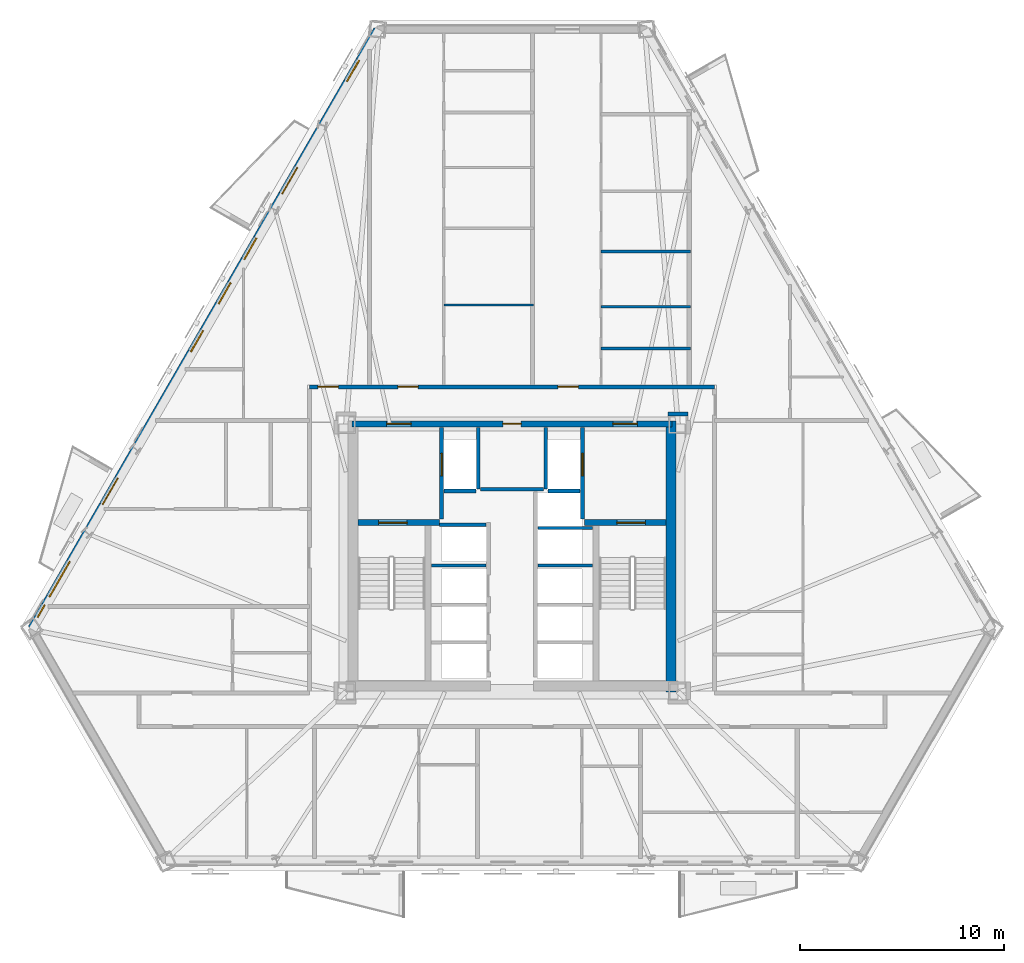
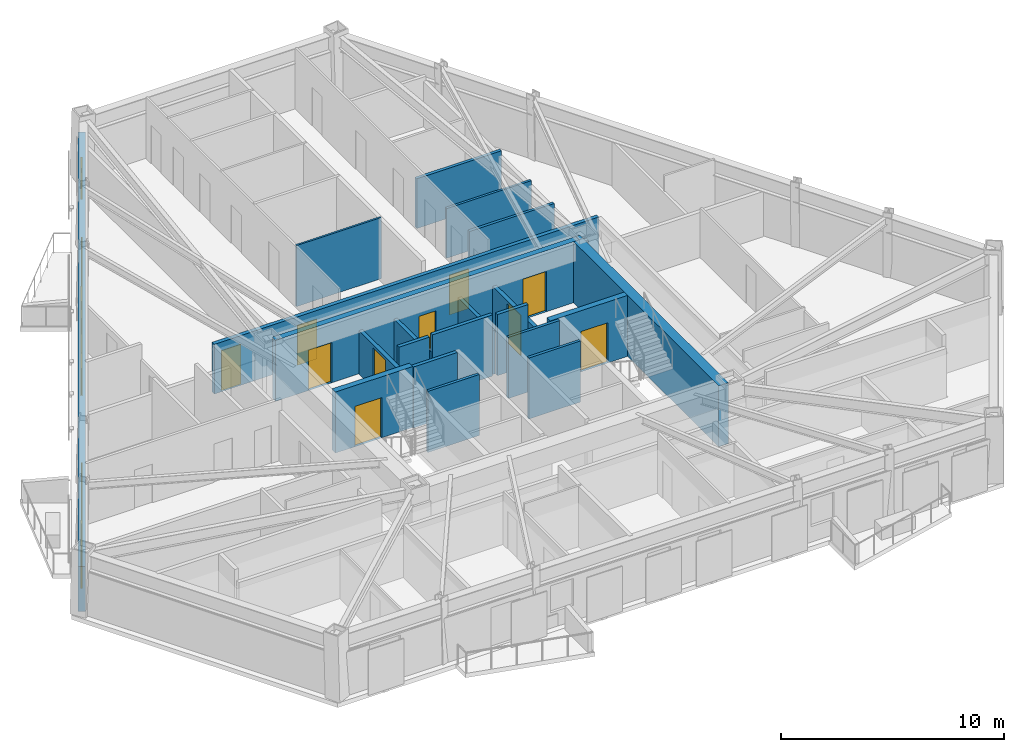
# One storey, part 4 of 10: 22 walls, 12 doors, 6 windows, 18 openings.
"""IFC4 building model written with IfcOpenShell, lengths in metres."""

from ifc_helpers import new_model, si_unit, direction, frame, frame_2d, origin, place, context, subcontext, project, spatial, rectangle, extrude, material, layer, layer_set, type_object, element, fill, save


model = new_model("IFC4")

# Units and contexts
model_context = context("Model", 3, precision=1e-05, world=origin(), true_north=direction((0.0, 1.0)))
body_context = subcontext(model_context, "Body", "Model", "MODEL_VIEW")
ifc_project = project(units=[si_unit("LENGTHUNIT", "METRE"), si_unit("AREAUNIT", "SQUARE_METRE"), si_unit("VOLUMEUNIT", "CUBIC_METRE"), si_unit("PLANEANGLEUNIT", "RADIAN"), si_unit("MASSUNIT", "GRAM", prefix="KILO")], contexts=[model_context])

# Site, building, storey
site_placement = place(None, origin())
site = spatial("IfcSite", under=ifc_project, at=site_placement, CompositionType="ELEMENT")
building_placement = place(site_placement, origin())
building = spatial("IfcBuilding", under=site, at=building_placement, Name="Oramaril Tower", CompositionType="ELEMENT")
storey_placement = place(building_placement, frame((0.0, 0.0, 74.10009765625)))
storey = spatial("IfcBuildingStorey", under=building, at=storey_placement, Name="L19", CompositionType="ELEMENT", Elevation=74.10009765625)

# Wall, openings, doors, windows
ifc_material_1 = material(Name="Warm Cream Limestone", Category="masonry")
ifc_layer_1 = layer(ifc_material_1, 0.340087890625)
ifc_layer_set_1 = layer_set([ifc_layer_1], Name="WT-EXT34")
wall_type_1 = type_object("IfcWallType", Name="WT-EXT34", PredefinedType="SOLIDWALL", material=ifc_layer_set_1)
wall_1_placement = place(storey_placement, frame((30.876220703125, 43.518310546875, 0.0), z_axis=(0.0, 0.0, 1.0), x_axis=(-0.500000596145, -0.8660250596, 0.0)))
wall_1 = element("IfcWall", 1, at=wall_1_placement, inside=storey, type_object=wall_type_1, Name="L19 Tower Limestone Facade Wall 6M", PredefinedType="SOLIDWALL", context=body_context, shape_type="SweptSolid", body=[
    extrude(rectangle(XDim=33.93798828125, YDim=0.340087890625, at=frame_2d((16.968994140625, 0.0))), origin(), (0.0, 0.0, 1.0), 2.473876953125),
])
opening_1_placement = place(wall_1_placement, frame((7.824462890625, 0.0, 0.0)))
opening_1 = element("IfcOpeningElement", 2, at=opening_1_placement, cuts=wall_1, Name="Opening D-L19-BAL-NW1", PredefinedType="OPENING", context=body_context, shape_type="SweptSolid", body=[
    extrude(rectangle(XDim=1.5, YDim=2.199951171875, at=frame_2d((0.75, 1.10009765625))), frame((0.0, 0.169921875, 0.0), z_axis=(0.0, -1.0, 0.0), x_axis=(1.0, 0.0, 0.0)), (0.0, 0.0, 1.0), 0.340087890625),
])
opening_2_placement = place(wall_1_placement, frame((25.438720703125, 0.0, 0.0)))
opening_2 = element("IfcOpeningElement", 3, at=opening_2_placement, cuts=wall_1, Name="Opening D-L19-BAL-NW2", PredefinedType="OPENING", context=body_context, shape_type="SweptSolid", body=[
    extrude(rectangle(XDim=1.5, YDim=2.199951171875, at=frame_2d((0.75, 1.10009765625))), frame((0.0, 0.169921875, 0.0), z_axis=(0.0, -1.0, 0.0), x_axis=(1.0, 0.0, 0.0)), (0.0, 0.0, 1.0), 0.340087890625),
])
opening_3_placement = place(wall_1_placement, frame((30.160888671875, 0.0, 0.85009765625)))
opening_3 = element("IfcOpeningElement", 4, at=opening_3_placement, cuts=wall_1, Name="Opening WN-05", PredefinedType="OPENING", context=body_context, shape_type="SweptSolid", body=[
    extrude(rectangle(XDim=2.0, YDim=1.513916015625, at=frame_2d((1.0, 0.7568359375))), frame((0.0, 0.169921875, 0.0), z_axis=(0.0, -1.0, 0.0), x_axis=(1.0, 0.0, 0.0)), (0.0, 0.0, 1.0), 0.340087890625),
])
opening_4_placement = place(wall_1_placement, frame((1.754638671875, 0.0, 0.85009765625)))
opening_4 = element("IfcOpeningElement", 5, at=opening_4_placement, cuts=wall_1, Name="Opening WN-09", PredefinedType="OPENING", context=body_context, shape_type="SweptSolid", body=[
    extrude(rectangle(XDim=1.199951171875, YDim=1.47412109375, at=frame_2d((0.60009765625, 0.737060546875))), frame((0.0, 0.169921875, 0.0), z_axis=(0.0, -1.0, 0.0), x_axis=(1.0, 0.0, 0.0)), (0.0, 0.0, 1.0), 0.340087890625),
])
opening_5_placement = place(wall_1_placement, frame((11.83447265625, 0.0, 0.85009765625)))
opening_5 = element("IfcOpeningElement", 6, at=opening_5_placement, cuts=wall_1, Name="Opening WN-09", PredefinedType="OPENING", context=body_context, shape_type="SweptSolid", body=[
    extrude(rectangle(XDim=1.199951171875, YDim=1.47412109375, at=frame_2d((0.60009765625, 0.737060546875))), frame((0.0, 0.169921875, 0.0), z_axis=(0.0, -1.0, 0.0), x_axis=(1.0, 0.0, 0.0)), (0.0, 0.0, 1.0), 0.340087890625),
])
opening_6_placement = place(wall_1_placement, frame((14.3583984375, 0.0, 0.85009765625)))
opening_6 = element("IfcOpeningElement", 7, at=opening_6_placement, cuts=wall_1, Name="Opening WN-09", PredefinedType="OPENING", context=body_context, shape_type="SweptSolid", body=[
    extrude(rectangle(XDim=1.199951171875, YDim=1.47412109375, at=frame_2d((0.60009765625, 0.737060546875))), frame((0.0, 0.169921875, 0.0), z_axis=(0.0, -1.0, 0.0), x_axis=(1.0, 0.0, 0.0)), (0.0, 0.0, 1.0), 0.340087890625),
])
opening_7_placement = place(wall_1_placement, frame((17.070556640625, 0.0, 0.85009765625)))
opening_7 = element("IfcOpeningElement", 8, at=opening_7_placement, cuts=wall_1, Name="Opening WN-09", PredefinedType="OPENING", context=body_context, shape_type="SweptSolid", body=[
    extrude(rectangle(XDim=1.199951171875, YDim=1.47412109375, at=frame_2d((0.60009765625, 0.737060546875))), frame((0.0, 0.169921875, 0.0), z_axis=(0.0, -1.0, 0.0), x_axis=(1.0, 0.0, 0.0)), (0.0, 0.0, 1.0), 0.340087890625),
])
opening_8_placement = place(wall_1_placement, frame((32.6279296875, 0.0, 0.85009765625)))
opening_8 = element("IfcOpeningElement", 9, at=opening_8_placement, cuts=wall_1, Name="Opening WN-14", PredefinedType="OPENING", context=body_context, shape_type="SweptSolid", body=[
    extrude(rectangle(XDim=0.699951171875, YDim=1.199951171875, at=frame_2d((0.35009765625, 0.60009765625))), frame((0.0, 0.169921875, 0.0), z_axis=(0.0, -1.0, 0.0), x_axis=(1.0, 0.0, 0.0)), (0.0, 0.0, 1.0), 0.340087890625),
])
ifc_material_2 = material(Name="Anodised Aluminium 6063-T6", Category="aluminium")
door_type_1 = type_object("IfcDoorType", Name="DT-BAL", OperationType="NOTDEFINED", PredefinedType="DOOR", material=ifc_material_2)
door_1_placement = place(opening_1_placement, origin())
door_1 = element("IfcDoor", 10, at=door_1_placement, inside=storey, type_object=door_type_1, Name="L19 Balcony Glazed Door L19-BAL-NW1", OperationType="SINGLE_SWING_RIGHT", OverallHeight=2.199951171875, OverallWidth=1.5, PredefinedType="DOOR", context=body_context, shape_type="SweptSolid", body=[
    extrude(rectangle(XDim=1.5, YDim=2.199951171875, at=frame_2d((0.75, 1.10009765625))), frame((0.0, 0.02490234375, 0.0), z_axis=(0.0, -1.0, 0.0), x_axis=(1.0, 0.0, 0.0)), (0.0, 0.0, 1.0), 0.050048828125),
])
fill(opening_1, door_1)
door_2_placement = place(opening_2_placement, origin())
door_2 = element("IfcDoor", 11, at=door_2_placement, inside=storey, type_object=door_type_1, Name="L19 Balcony Glazed Door L19-BAL-NW2", OperationType="SINGLE_SWING_LEFT", OverallHeight=2.199951171875, OverallWidth=1.5, PredefinedType="DOOR", context=body_context, shape_type="SweptSolid", body=[
    extrude(rectangle(XDim=1.5, YDim=2.199951171875, at=frame_2d((0.75, 1.10009765625))), frame((0.0, 0.02490234375, 0.0), z_axis=(0.0, -1.0, 0.0), x_axis=(1.0, 0.0, 0.0)), (0.0, 0.0, 1.0), 0.050048828125),
])
fill(opening_2, door_2)
ifc_material_3 = material(Name="Coastal Low-E Insulated Glass", Category="glass")
window_type_1 = type_object("IfcWindowType", Name="WNT-05", PartitioningType="SINGLE_PANEL", PredefinedType="WINDOW", material=ifc_material_3)
window_1_placement = place(opening_3_placement, origin())
window_1 = element("IfcWindow", 12, at=window_1_placement, inside=storey, type_object=window_type_1, Name="L19 Chicago Bay Window WN-05", OverallHeight=1.513916015625, OverallWidth=2.0, PartitioningType="SINGLE_PANEL", PredefinedType="WINDOW", context=body_context, shape_type="SweptSolid", body=[
    extrude(rectangle(XDim=2.0, YDim=1.513916015625, at=frame_2d((1.0, 0.7568359375))), frame((0.0, 0.030029296875, 0.0), z_axis=(0.0, -1.0, 0.0), x_axis=(1.0, 0.0, 0.0)), (0.0, 0.0, 1.0), 0.06005859375),
])
fill(opening_3, window_1)
ifc_material_4 = material(Name="Coastal Low-E Insulated Glass", Category="glass")
window_type_2 = type_object("IfcWindowType", Name="WNT-09", PartitioningType="SINGLE_PANEL", PredefinedType="WINDOW", material=ifc_material_4)
window_2_placement = place(opening_4_placement, origin())
window_2 = element("IfcWindow", 13, at=window_2_placement, inside=storey, type_object=window_type_2, Name="L19 Chicago Bay Window WN-09", OverallHeight=1.47412109375, OverallWidth=1.199951171875, PartitioningType="SINGLE_PANEL", PredefinedType="WINDOW", context=body_context, shape_type="SweptSolid", body=[
    extrude(rectangle(XDim=1.199951171875, YDim=1.47412109375, at=frame_2d((0.60009765625, 0.737060546875))), frame((0.0, 0.030029296875, 0.0), z_axis=(0.0, -1.0, 0.0), x_axis=(1.0, 0.0, 0.0)), (0.0, 0.0, 1.0), 0.06005859375),
])
fill(opening_4, window_2)
window_3_placement = place(opening_5_placement, origin())
window_3 = element("IfcWindow", 14, at=window_3_placement, inside=storey, type_object=window_type_2, Name="L19 Chicago Bay Window WN-09", OverallHeight=1.47412109375, OverallWidth=1.199951171875, PartitioningType="SINGLE_PANEL", PredefinedType="WINDOW", context=body_context, shape_type="SweptSolid", body=[
    extrude(rectangle(XDim=1.199951171875, YDim=1.47412109375, at=frame_2d((0.60009765625, 0.737060546875))), frame((0.0, 0.030029296875, 0.0), z_axis=(0.0, -1.0, 0.0), x_axis=(1.0, 0.0, 0.0)), (0.0, 0.0, 1.0), 0.06005859375),
])
fill(opening_5, window_3)
window_4_placement = place(opening_6_placement, origin())
window_4 = element("IfcWindow", 15, at=window_4_placement, inside=storey, type_object=window_type_2, Name="L19 Chicago Bay Window WN-09", OverallHeight=1.47412109375, OverallWidth=1.199951171875, PartitioningType="SINGLE_PANEL", PredefinedType="WINDOW", context=body_context, shape_type="SweptSolid", body=[
    extrude(rectangle(XDim=1.199951171875, YDim=1.47412109375, at=frame_2d((0.60009765625, 0.737060546875))), frame((0.0, 0.030029296875, 0.0), z_axis=(0.0, -1.0, 0.0), x_axis=(1.0, 0.0, 0.0)), (0.0, 0.0, 1.0), 0.06005859375),
])
fill(opening_6, window_4)
window_5_placement = place(opening_7_placement, origin())
window_5 = element("IfcWindow", 16, at=window_5_placement, inside=storey, type_object=window_type_2, Name="L19 Chicago Bay Window WN-09", OverallHeight=1.47412109375, OverallWidth=1.199951171875, PartitioningType="SINGLE_PANEL", PredefinedType="WINDOW", context=body_context, shape_type="SweptSolid", body=[
    extrude(rectangle(XDim=1.199951171875, YDim=1.47412109375, at=frame_2d((0.60009765625, 0.737060546875))), frame((0.0, 0.030029296875, 0.0), z_axis=(0.0, -1.0, 0.0), x_axis=(1.0, 0.0, 0.0)), (0.0, 0.0, 1.0), 0.06005859375),
])
fill(opening_7, window_5)
ifc_material_5 = material(Name="Coastal Low-E Insulated Glass", Category="glass")
window_type_3 = type_object("IfcWindowType", Name="WNT-14", PartitioningType="SINGLE_PANEL", PredefinedType="WINDOW", material=ifc_material_5)
window_6_placement = place(opening_8_placement, origin())
window_6 = element("IfcWindow", 17, at=window_6_placement, inside=storey, type_object=window_type_3, Name="L19 Apartment Bedroom Window WN-14", OverallHeight=1.199951171875, OverallWidth=0.699951171875, PartitioningType="SINGLE_PANEL", PredefinedType="WINDOW", context=body_context, shape_type="SweptSolid", body=[
    extrude(rectangle(XDim=0.699951171875, YDim=1.199951171875, at=frame_2d((0.35009765625, 0.60009765625))), frame((0.0, 0.030029296875, 0.0), z_axis=(0.0, -1.0, 0.0), x_axis=(1.0, 0.0, 0.0)), (0.0, 0.0, 1.0), 0.06005859375),
])
fill(opening_8, window_6)

# Walls
ifc_material_6 = material(Name="Acoustic Gypsum Board Partition")
ifc_layer_2 = layer(ifc_material_6, 0.10009765625)
ifc_layer_set_2 = layer_set([ifc_layer_2], Name="WT-PT10")
wall_type_2 = type_object("IfcWallType", Name="WT-PT10", PredefinedType="PARTITIONING", material=ifc_layer_set_2)
wall_2_placement = place(storey_placement, frame((34.14990234375, 29.989990234375, 0.0), z_axis=(0.0, 0.0, 1.0), x_axis=(1.0, 0.0, 0.0)))
element("IfcWall", 18, at=wall_2_placement, inside=storey, type_object=wall_type_2, Name="L19 Interior Partition PT-10", PredefinedType="PARTITIONING", context=body_context, shape_type="SweptSolid", body=[
    extrude(rectangle(XDim=4.400146484375, YDim=0.10009765625, at=frame_2d((2.2001953125, 0.0))), origin(), (0.0, 0.0, 1.0), 3.33984375),
])
ifc_material_7 = material(Name="Acoustic Gypsum Board Partition")
ifc_layer_3 = layer(ifc_material_7, 0.1201171875)
ifc_layer_set_3 = layer_set([ifc_layer_3], Name="WT-PT12")
wall_type_3 = type_object("IfcWallType", Name="WT-PT12", PredefinedType="PARTITIONING", material=ifc_layer_set_3)
wall_3_placement = place(storey_placement, frame((41.8701171875, 29.909912109375, 0.0), z_axis=(0.0, 0.0, 1.0), x_axis=(1.0, 0.0, 0.0)))
element("IfcWall", 19, at=wall_3_placement, inside=storey, type_object=wall_type_3, Name="L19 Interior Partition PT-12", PredefinedType="PARTITIONING", context=body_context, shape_type="SweptSolid", body=[
    extrude(rectangle(XDim=4.3798828125, YDim=0.1201171875, at=frame_2d((2.18994140625, 0.0))), origin(), (0.0, 0.0, 1.0), 2.718017578125),
])
ifc_material_8 = material(Name="Acoustic Gypsum Board Partition")
ifc_layer_4 = layer(ifc_material_8, 0.139892578125)
ifc_layer_set_4 = layer_set([ifc_layer_4], Name="WT-PT14")
wall_type_4 = type_object("IfcWallType", Name="WT-PT14", PredefinedType="PARTITIONING", material=ifc_layer_set_4)
for number, where, z_axis, x_axis, name in (
    (20, (33.56005859375, 17.199951171875, 0.0), (0.0, 0.0, 1.0), (1.0, 0.0, 0.0), "L19 West Lift Divider"),
    (21, (38.780029296875, 17.199951171875, 0.0), (0.0, 0.0, 1.0), (1.0, 0.0, 0.0), "L19 East Lift Divider"),
    (22, (38.780029296875, 19.050048828125, 0.0), (0.0, 0.0, 1.0), (1.0, 0.0, 0.0), "L19 East Lift Divider"),
):
    element("IfcWall", number, at=place(storey_placement, frame(where, z_axis=z_axis, x_axis=x_axis)), inside=storey, type_object=wall_type_4, Name=name, PredefinedType="PARTITIONING", context=body_context, shape_type="SweptSolid", body=[
        extrude(rectangle(XDim=2.659912109375, YDim=0.139892578125, at=frame_2d((1.330078125, 0.0))), origin(), (0.0, 0.0, 1.0), 3.33984375),
    ])
wall_4_placement = place(storey_placement, frame((41.8701171875, 27.860107421875, 0.0), z_axis=(0.0, 0.0, 1.0), x_axis=(1.0, 0.0, 0.0)))
element("IfcWall", 23, at=wall_4_placement, inside=storey, type_object=wall_type_4, Name="L19 Interior Partition PT-14", PredefinedType="PARTITIONING", context=body_context, shape_type="SweptSolid", body=[
    extrude(rectangle(XDim=4.3798828125, YDim=0.139892578125, at=frame_2d((2.18994140625, 0.0))), origin(), (0.0, 0.0, 1.0), 2.718017578125),
])
ifc_material_9 = material(Name="Acoustic Gypsum Board Partition")
ifc_layer_5 = layer(ifc_material_9, 0.159912109375)
ifc_layer_set_5 = layer_set([ifc_layer_5], Name="WT-PT16")
wall_type_5 = type_object("IfcWallType", Name="WT-PT16", PredefinedType="PARTITIONING", material=ifc_layer_set_5)
wall_5_placement = place(storey_placement, frame((41.8701171875, 32.610107421875, 0.0), z_axis=(0.0, 0.0, 1.0), x_axis=(1.0, 0.0, 0.0)))
element("IfcWall", 24, at=wall_5_placement, inside=storey, type_object=wall_type_5, Name="L19 Interior Partition PT-16", PredefinedType="PARTITIONING", context=body_context, shape_type="SweptSolid", body=[
    extrude(rectangle(XDim=4.3798828125, YDim=0.159912109375, at=frame_2d((2.18994140625, 0.0))), origin(), (0.0, 0.0, 1.0), 2.718017578125),
])
ifc_material_10 = material(Name="Autoclaved Cellular Concrete Block", Category="concrete")
ifc_layer_6 = layer(ifc_material_10, 0.179931640625)
ifc_layer_set_6 = layer_set([ifc_layer_6], Name="WT-PT18")
wall_type_6 = type_object("IfcWallType", Name="WT-PT18", PredefinedType="PARTITIONING", material=ifc_layer_set_6)
wall_6_placement = place(storey_placement, frame((35.840087890625, 20.9599609375, 0.0), z_axis=(0.0, 0.0, 1.0), x_axis=(0.0, 1.0, 0.0)))
element("IfcWall", 25, at=wall_6_placement, inside=storey, type_object=wall_type_6, Name="L19 FL-1 East Shaft Wall", PredefinedType="PARTITIONING", context=body_context, shape_type="SweptSolid", body=[
    extrude(rectangle(XDim=3.02001953125, YDim=0.179931640625, at=frame_2d((1.510009765625, 0.0))), origin(), (0.0, 0.0, 1.0), 2.3798828125),
])
wall_7_placement = place(storey_placement, frame((34.159912109375, 20.860107421875, 0.0), z_axis=(0.0, 0.0, 1.0), x_axis=(1.0, 0.0, 0.0)))
element("IfcWall", 26, at=wall_7_placement, inside=storey, type_object=wall_type_6, Name="L19 FL-1 South Shaft Wall", PredefinedType="PARTITIONING", context=body_context, shape_type="SweptSolid", body=[
    extrude(rectangle(XDim=1.580078125, YDim=0.179931640625, at=frame_2d((0.7900390625, 0.0))), origin(), (0.0, 0.0, 1.0), 3.33984375),
])
wall_8_placement = place(storey_placement, frame((39.159912109375, 20.9599609375, 0.0), z_axis=(0.0, 0.0, 1.0), x_axis=(0.0, 1.0, 0.0)))
element("IfcWall", 27, at=wall_8_placement, inside=storey, type_object=wall_type_6, Name="L19 FL-2 West Shaft Wall", PredefinedType="PARTITIONING", context=body_context, shape_type="SweptSolid", body=[
    extrude(rectangle(XDim=3.02001953125, YDim=0.179931640625, at=frame_2d((1.510009765625, 0.0))), origin(), (0.0, 0.0, 1.0), 2.3798828125),
])
wall_9_placement = place(storey_placement, frame((39.260009765625, 20.860107421875, 0.0), z_axis=(0.0, 0.0, 1.0), x_axis=(1.0, 0.0, 0.0)))
element("IfcWall", 28, at=wall_9_placement, inside=storey, type_object=wall_type_6, Name="L19 FL-2 South Shaft Wall", PredefinedType="PARTITIONING", context=body_context, shape_type="SweptSolid", body=[
    extrude(rectangle(XDim=1.580078125, YDim=0.179931640625, at=frame_2d((0.7900390625, 0.0))), origin(), (0.0, 0.0, 1.0), 3.33984375),
])
wall_10_placement = place(storey_placement, frame((33.949951171875, 19.199951171875, 0.0), z_axis=(0.0, 0.0, 1.0), x_axis=(1.0, 0.0, 0.0)))
element("IfcWall", 29, at=wall_10_placement, inside=storey, type_object=wall_type_6, Name="L19 High-Rise Lift H1 North Shaft Wall", PredefinedType="PARTITIONING", context=body_context, shape_type="SweptSolid", body=[
    extrude(rectangle(XDim=2.27001953125, YDim=0.179931640625, at=frame_2d((1.135009765625, 0.0))), origin(), (0.0, 0.0, 1.0), 3.33984375),
])
wall_11_placement = place(storey_placement, frame((35.949951171875, 20.949951171875, 0.0), z_axis=(0.0, 0.0, 1.0), x_axis=(1.0, 0.0, 0.0)))
element("IfcWall", 30, at=wall_11_placement, inside=storey, type_object=wall_type_6, Name="L19 Lift Lobby North Partition", PredefinedType="PARTITIONING", context=body_context, shape_type="SweptSolid", body=[
    extrude(rectangle(XDim=3.10009765625, YDim=0.179931640625, at=frame_2d((1.550048828125, 0.0))), origin(), (0.0, 0.0, 1.0), 3.33984375),
])
ifc_material_11 = material(Name="Autoclaved Cellular Concrete Block", Category="concrete")
ifc_layer_7 = layer(ifc_material_11, 0.199951171875)
ifc_layer_set_7 = layer_set([ifc_layer_7], Name="WT-PT20")
wall_type_7 = type_object("IfcWallType", Name="WT-PT20", PredefinedType="PARTITIONING", material=ifc_layer_set_7)
wall_12_placement = place(storey_placement, frame((45.155029296875, 24.639892578125, 0.0), z_axis=(0.0, 0.0, 1.0), x_axis=(1.0, 0.0, 0.0)))
element("IfcWall", 31, at=wall_12_placement, inside=storey, type_object=wall_type_7, Name="L19 Interior Partition PT-20", PredefinedType="PARTITIONING", context=body_context, shape_type="SweptSolid", body=[
    extrude(rectangle(XDim=0.989990234375, YDim=0.199951171875, at=frame_2d((0.4951171875, 0.0))), origin(), (0.0, 0.0, 1.0), 2.718017578125),
])

# Wall, openings, doors
wall_13_placement = place(storey_placement, frame((27.550048828125, 25.969970703125, 0.0), z_axis=(0.0, 0.0, 1.0), x_axis=(1.0, 0.0, 0.0)))
wall_13 = element("IfcWall", 32, at=wall_13_placement, inside=storey, type_object=wall_type_7, Name="L19 Interior Partition PT-20", PredefinedType="PARTITIONING", context=body_context, shape_type="SweptSolid", body=[
    extrude(rectangle(XDim=19.89990234375, YDim=0.199951171875, at=frame_2d((9.949951171875, 0.0))), origin(), (0.0, 0.0, 1.0), 2.718017578125),
])
opening_9_placement = place(wall_13_placement, frame((0.42529296875, 0.0, 0.0)))
opening_9 = element("IfcOpeningElement", 33, at=opening_9_placement, cuts=wall_13, Name="Opening D-L19-13", PredefinedType="OPENING", context=body_context, shape_type="SweptSolid", body=[
    extrude(rectangle(XDim=1.0, YDim=2.179931640625, at=frame_2d((0.5, 1.08984375))), frame((0.0, 0.10009765625, 0.0), z_axis=(0.0, -1.0, 0.0), x_axis=(1.0, 0.0, 0.0)), (0.0, 0.0, 1.0), 0.199951171875),
])
opening_10_placement = place(wall_13_placement, frame((4.34716796875, 0.0, 0.0)))
opening_10 = element("IfcOpeningElement", 34, at=opening_10_placement, cuts=wall_13, Name="Opening D-L19-14", PredefinedType="OPENING", context=body_context, shape_type="SweptSolid", body=[
    extrude(rectangle(XDim=1.0, YDim=2.179931640625, at=frame_2d((0.5, 1.08984375))), frame((0.0, 0.10009765625, 0.0), z_axis=(0.0, -1.0, 0.0), x_axis=(1.0, 0.0, 0.0)), (0.0, 0.0, 1.0), 0.199951171875),
])
opening_11_placement = place(wall_13_placement, frame((12.20751953125, 0.0, 0.0)))
opening_11 = element("IfcOpeningElement", 35, at=opening_11_placement, cuts=wall_13, Name="Opening D-L19-15", PredefinedType="OPENING", context=body_context, shape_type="SweptSolid", body=[
    extrude(rectangle(XDim=1.0, YDim=2.179931640625, at=frame_2d((0.5, 1.08984375))), frame((0.0, 0.10009765625, 0.0), z_axis=(0.0, -1.0, 0.0), x_axis=(1.0, 0.0, 0.0)), (0.0, 0.0, 1.0), 0.199951171875),
])
ifc_material_12 = material(Name="FSC Brazilian Freijo Hardwood", Category="wood")
door_type_2 = type_object("IfcDoorType", Name="DT-APT", OperationType="NOTDEFINED", PredefinedType="DOOR", material=ifc_material_12)
door_3_placement = place(opening_9_placement, origin())
door_3 = element("IfcDoor", 36, at=door_3_placement, inside=storey, type_object=door_type_2, Name="L19 Flat L19-U9 Studio Apartment Door D-L19-13", OperationType="SINGLE_SWING_LEFT", OverallHeight=2.179931640625, OverallWidth=1.0, PredefinedType="DOOR", context=body_context, shape_type="SweptSolid", body=[
    extrude(rectangle(XDim=1.0, YDim=2.179931640625, at=frame_2d((0.5, 1.08984375))), frame((0.0, 0.02490234375, 0.0), z_axis=(0.0, -1.0, 0.0), x_axis=(1.0, 0.0, 0.0)), (0.0, 0.0, 1.0), 0.050048828125),
])
fill(opening_9, door_3)
door_4_placement = place(opening_10_placement, origin())
door_4 = element("IfcDoor", 37, at=door_4_placement, inside=storey, type_object=door_type_2, Name="L19 Flat L19-U10 Penthouse 2-Bedroom Living and Dining Room Door D-L19-14", OperationType="SINGLE_SWING_RIGHT", OverallHeight=2.179931640625, OverallWidth=1.0, PredefinedType="DOOR", context=body_context, shape_type="SweptSolid", body=[
    extrude(rectangle(XDim=1.0, YDim=2.179931640625, at=frame_2d((0.5, 1.08984375))), frame((0.0, 0.02490234375, 0.0), z_axis=(0.0, -1.0, 0.0), x_axis=(1.0, 0.0, 0.0)), (0.0, 0.0, 1.0), 0.050048828125),
])
fill(opening_10, door_4)
door_5_placement = place(opening_11_placement, origin())
door_5 = element("IfcDoor", 38, at=door_5_placement, inside=storey, type_object=door_type_2, Name="L19 Flat L19-U11 2-Bedroom Living and Dining Room Door D-L19-15", OperationType="SINGLE_SWING_LEFT", OverallHeight=2.179931640625, OverallWidth=1.0, PredefinedType="DOOR", context=body_context, shape_type="SweptSolid", body=[
    extrude(rectangle(XDim=1.0, YDim=2.179931640625, at=frame_2d((0.5, 1.08984375))), frame((0.0, 0.02490234375, 0.0), z_axis=(0.0, -1.0, 0.0), x_axis=(1.0, 0.0, 0.0)), (0.0, 0.0, 1.0), 0.050048828125),
])
fill(opening_11, door_5)

ifc_material_13 = material(Name="Concrete C50/60", Category="concrete")
ifc_layer_8 = layer(ifc_material_13, 0.300048828125)
ifc_layer_set_8 = layer_set([ifc_layer_8], Name="WT-SH30")
wall_type_8 = type_object("IfcWallType", Name="WT-SH30", PredefinedType="SHEAR", material=ifc_layer_set_8)
wall_14_placement = place(storey_placement, frame((29.64990234375, 24.14990234375, 0.0), z_axis=(0.0, 0.0, 1.0), x_axis=(1.0, 0.0, 0.0)))
wall_14 = element("IfcWall", 39, at=wall_14_placement, inside=storey, type_object=wall_type_8, Name="L19 Core Shear Wall CW-N", PredefinedType="SHEAR", context=body_context, shape_type="SweptSolid", body=[
    extrude(rectangle(XDim=15.7001953125, YDim=0.300048828125, at=frame_2d((7.85009765625, 0.0))), origin(), (0.0, 0.0, 1.0), 3.33984375),
])
opening_12_placement = place(wall_14_placement, frame((1.699951171875, 0.0, 0.0)))
opening_12 = element("IfcOpeningElement", 40, at=opening_12_placement, cuts=wall_14, Name="Opening D-L19-FFL1", PredefinedType="OPENING", context=body_context, shape_type="SweptSolid", body=[
    extrude(rectangle(XDim=1.199951171875, YDim=2.199951171875, at=frame_2d((0.60009765625, 1.10009765625))), frame((0.0, 0.14990234375, 0.0), z_axis=(0.0, -1.0, 0.0), x_axis=(1.0, 0.0, 0.0)), (0.0, 0.0, 1.0), 0.300048828125),
])
opening_13_placement = place(wall_14_placement, frame((12.800048828125, 0.0, 0.0)))
opening_13 = element("IfcOpeningElement", 41, at=opening_13_placement, cuts=wall_14, Name="Opening D-L19-FFL2", PredefinedType="OPENING", context=body_context, shape_type="SweptSolid", body=[
    extrude(rectangle(XDim=1.199951171875, YDim=2.199951171875, at=frame_2d((0.60009765625, 1.10009765625))), frame((0.0, 0.14990234375, 0.0), z_axis=(0.0, -1.0, 0.0), x_axis=(1.0, 0.0, 0.0)), (0.0, 0.0, 1.0), 0.300048828125),
])
opening_14_placement = place(wall_14_placement, frame((7.39990234375, 0.0, 0.0)))
opening_14 = element("IfcOpeningElement", 42, at=opening_14_placement, cuts=wall_14, Name="Opening D-L19-SV1", PredefinedType="OPENING", context=body_context, shape_type="SweptSolid", body=[
    extrude(rectangle(XDim=0.89990234375, YDim=2.050048828125, at=frame_2d((0.449951171875, 1.02490234375))), frame((0.0, 0.14990234375, 0.0), z_axis=(0.0, -1.0, 0.0), x_axis=(1.0, 0.0, 0.0)), (0.0, 0.0, 1.0), 0.300048828125),
])
ifc_material_14 = material(Name="Painted Galvanised Steel", Category="steel")
door_type_3 = type_object("IfcDoorType", Name="DT-FFL", OperationType="NOTDEFINED", PredefinedType="DOOR", material=ifc_material_14)
door_6_placement = place(opening_12_placement, origin())
door_6 = element("IfcDoor", 43, at=door_6_placement, inside=storey, type_object=door_type_3, Name="L19 Firefighting Lobby 1 Fire Door", OperationType="SINGLE_SWING_LEFT", OverallHeight=2.199951171875, OverallWidth=1.199951171875, PredefinedType="DOOR", context=body_context, shape_type="SweptSolid", body=[
    extrude(rectangle(XDim=1.199951171875, YDim=2.199951171875, at=frame_2d((0.60009765625, 1.10009765625))), frame((0.0, 0.02490234375, 0.0), z_axis=(0.0, -1.0, 0.0), x_axis=(1.0, 0.0, 0.0)), (0.0, 0.0, 1.0), 0.050048828125),
])
fill(opening_12, door_6)
door_7_placement = place(opening_13_placement, origin())
door_7 = element("IfcDoor", 44, at=door_7_placement, inside=storey, type_object=door_type_3, Name="L19 Firefighting Lobby 2 Fire Door", OperationType="SINGLE_SWING_RIGHT", OverallHeight=2.199951171875, OverallWidth=1.199951171875, PredefinedType="DOOR", context=body_context, shape_type="SweptSolid", body=[
    extrude(rectangle(XDim=1.199951171875, YDim=2.199951171875, at=frame_2d((0.60009765625, 1.10009765625))), frame((0.0, 0.02490234375, 0.0), z_axis=(0.0, -1.0, 0.0), x_axis=(1.0, 0.0, 0.0)), (0.0, 0.0, 1.0), 0.050048828125),
])
fill(opening_13, door_7)
ifc_material_15 = material(Name="Painted Galvanised Steel", Category="steel")
door_type_4 = type_object("IfcDoorType", Name="DT-SVC", OperationType="NOTDEFINED", PredefinedType="DOOR", material=ifc_material_15)
door_8_placement = place(opening_14_placement, origin())
door_8 = element("IfcDoor", 45, at=door_8_placement, inside=storey, type_object=door_type_4, Name="L19 Core Janitor Store Door", OperationType="SINGLE_SWING_LEFT", OverallHeight=2.050048828125, OverallWidth=0.89990234375, PredefinedType="DOOR", context=body_context, shape_type="SweptSolid", body=[
    extrude(rectangle(XDim=0.89990234375, YDim=2.050048828125, at=frame_2d((0.449951171875, 1.02490234375))), frame((0.0, 0.02490234375, 0.0), z_axis=(0.0, -1.0, 0.0), x_axis=(1.0, 0.0, 0.0)), (0.0, 0.0, 1.0), 0.050048828125),
])
fill(opening_14, door_8)

# Wall, opening, door
wall_15_placement = place(storey_placement, frame((29.93994140625, 19.31005859375, 0.0), z_axis=(0.0, 0.0, 1.0), x_axis=(1.0, 0.0, 0.0)))
wall_15 = element("IfcWall", 46, at=wall_15_placement, inside=storey, type_object=wall_type_8, Name="L19 Core Shear Wall CW-ST1N", PredefinedType="SHEAR", context=body_context, shape_type="SweptSolid", body=[
    extrude(rectangle(XDim=4.010009765625, YDim=0.300048828125, at=frame_2d((2.0048828125, 0.0))), origin(), (0.0, 0.0, 1.0), 3.33984375),
])
opening_15_placement = place(wall_15_placement, frame((1.010009765625, 0.0, 0.0)))
opening_15 = element("IfcOpeningElement", 47, at=opening_15_placement, cuts=wall_15, Name="Opening D-L19-ST1", PredefinedType="OPENING", context=body_context, shape_type="SweptSolid", body=[
    extrude(rectangle(XDim=1.39990234375, YDim=2.199951171875, at=frame_2d((0.699951171875, 1.10009765625))), frame((0.0, 0.14990234375, 0.0), z_axis=(0.0, -1.0, 0.0), x_axis=(1.0, 0.0, 0.0)), (0.0, 0.0, 1.0), 0.300048828125),
])
ifc_material_16 = material(Name="Painted Galvanised Steel", Category="steel")
door_type_5 = type_object("IfcDoorType", Name="DT-ST", OperationType="NOTDEFINED", PredefinedType="DOOR", material=ifc_material_16)
door_9_placement = place(opening_15_placement, origin())
door_9 = element("IfcDoor", 48, at=door_9_placement, inside=storey, type_object=door_type_5, Name="L19 Protected Stair ST-1 Fire Door", OperationType="SINGLE_SWING_LEFT", OverallHeight=2.199951171875, OverallWidth=1.39990234375, PredefinedType="DOOR", context=body_context, shape_type="SweptSolid", body=[
    extrude(rectangle(XDim=1.39990234375, YDim=2.199951171875, at=frame_2d((0.699951171875, 1.10009765625))), frame((0.0, 0.02490234375, 0.0), z_axis=(0.0, -1.0, 0.0), x_axis=(1.0, 0.0, 0.0)), (0.0, 0.0, 1.0), 0.050048828125),
])
fill(opening_15, door_9)

wall_16_placement = place(storey_placement, frame((41.050048828125, 19.31005859375, 0.0), z_axis=(0.0, 0.0, 1.0), x_axis=(1.0, 0.0, 0.0)))
wall_16 = element("IfcWall", 49, at=wall_16_placement, inside=storey, type_object=wall_type_8, Name="L19 Core Shear Wall CW-ST2N", PredefinedType="SHEAR", context=body_context, shape_type="SweptSolid", body=[
    extrude(rectangle(XDim=4.010009765625, YDim=0.300048828125, at=frame_2d((2.0048828125, 0.0))), origin(), (0.0, 0.0, 1.0), 3.33984375),
])
opening_16_placement = place(wall_16_placement, frame((1.60009765625, 0.0, 0.0)))
opening_16 = element("IfcOpeningElement", 50, at=opening_16_placement, cuts=wall_16, Name="Opening D-L19-ST2", PredefinedType="OPENING", context=body_context, shape_type="SweptSolid", body=[
    extrude(rectangle(XDim=1.39990234375, YDim=2.199951171875, at=frame_2d((0.699951171875, 1.10009765625))), frame((0.0, 0.14990234375, 0.0), z_axis=(0.0, -1.0, 0.0), x_axis=(1.0, 0.0, 0.0)), (0.0, 0.0, 1.0), 0.300048828125),
])
door_10_placement = place(opening_16_placement, origin())
door_10 = element("IfcDoor", 51, at=door_10_placement, inside=storey, type_object=door_type_5, Name="L19 Protected Stair ST-2 Fire Door", OperationType="SINGLE_SWING_RIGHT", OverallHeight=2.199951171875, OverallWidth=1.39990234375, PredefinedType="DOOR", context=body_context, shape_type="SweptSolid", body=[
    extrude(rectangle(XDim=1.39990234375, YDim=2.199951171875, at=frame_2d((0.699951171875, 1.10009765625))), frame((0.0, 0.02490234375, 0.0), z_axis=(0.0, -1.0, 0.0), x_axis=(1.0, 0.0, 0.0)), (0.0, 0.0, 1.0), 0.050048828125),
])
fill(opening_16, door_10)

# Wall
ifc_material_17 = material(Name="Concrete C50/60", Category="concrete")
ifc_layer_9 = layer(ifc_material_17, 0.5)
ifc_layer_set_9 = layer_set([ifc_layer_9], Name="WT-SH50")
wall_type_9 = type_object("IfcWallType", Name="WT-SH50", PredefinedType="SHEAR", material=ifc_layer_set_9)
wall_17_placement = place(storey_placement, frame((45.31005859375, 11.0, 0.0), z_axis=(0.0, 0.0, 1.0), x_axis=(0.0, 1.0, 0.0)))
element("IfcWall", 52, at=wall_17_placement, inside=storey, type_object=wall_type_9, Name="L19 Core Shear Wall CW-E", PredefinedType="SHEAR", context=body_context, shape_type="SweptSolid", body=[
    extrude(rectangle(XDim=13.300048828125, YDim=0.5, at=frame_2d((6.64990234375, 0.0))), origin(), (0.0, 0.0, 1.0), 3.33984375),
])

# Wall, opening, door
ifc_material_18 = material(Name="Autoclaved Cellular Concrete Block", Category="concrete")
ifc_layer_10 = layer(ifc_material_18, 0.199951171875)
ifc_layer_set_10 = layer_set([ifc_layer_10], Name="WT-SHF20")
wall_type_10 = type_object("IfcWallType", Name="WT-SHF20", PredefinedType="PARTITIONING", material=ifc_layer_set_10)
wall_18_placement = place(storey_placement, frame((34.0400390625, 19.47998046875, 0.0), z_axis=(0.0, 0.0, 1.0), x_axis=(0.0, 1.0, 0.0)))
wall_18 = element("IfcWall", 53, at=wall_18_placement, inside=storey, type_object=wall_type_10, Name="L19 FL-1 Lobby Shaft Wall", PredefinedType="PARTITIONING", context=body_context, shape_type="SweptSolid", body=[
    extrude(rectangle(XDim=4.5, YDim=0.199951171875, at=frame_2d((2.25, 0.0))), origin(), (0.0, 0.0, 1.0), 2.3798828125),
])
opening_17_placement = place(wall_18_placement, frame((2.1201171875, 0.0, 0.0)))
opening_17 = element("IfcOpeningElement", 54, at=opening_17_placement, cuts=wall_18, Name="Opening LD-L19-FL-1", PredefinedType="OPENING", context=body_context, shape_type="SweptSolid", body=[
    extrude(rectangle(XDim=1.10009765625, YDim=2.199951171875, at=frame_2d((0.550048828125, 1.10009765625))), frame((0.0, 0.10009765625, 0.0), z_axis=(0.0, -1.0, 0.0), x_axis=(1.0, 0.0, 0.0)), (0.0, 0.0, 1.0), 0.199951171875),
])
ifc_material_19 = material(Name="Stainless Steel 316L", Category="steel")
door_type_6 = type_object("IfcDoorType", Name="DT-LD1", OperationType="NOTDEFINED", PredefinedType="DOOR", material=ifc_material_19)
door_11_placement = place(opening_17_placement, origin())
door_11 = element("IfcDoor", 55, at=door_11_placement, inside=storey, type_object=door_type_6, Name="L19 Lift FL-1 Sliding Landing Door", OperationType="SLIDING_TO_LEFT", OverallHeight=2.199951171875, OverallWidth=1.10009765625, PredefinedType="DOOR", context=body_context, shape_type="SweptSolid", body=[
    extrude(rectangle(XDim=1.10009765625, YDim=2.199951171875, at=frame_2d((0.550048828125, 1.10009765625))), frame((0.0, 0.02490234375, 0.0), z_axis=(0.0, -1.0, 0.0), x_axis=(1.0, 0.0, 0.0)), (0.0, 0.0, 1.0), 0.050048828125),
])
fill(opening_17, door_11)

wall_19_placement = place(storey_placement, frame((40.9599609375, 19.47998046875, 0.0), z_axis=(0.0, 0.0, 1.0), x_axis=(0.0, 1.0, 0.0)))
wall_19 = element("IfcWall", 56, at=wall_19_placement, inside=storey, type_object=wall_type_10, Name="L19 FL-2 Lobby Shaft Wall", PredefinedType="PARTITIONING", context=body_context, shape_type="SweptSolid", body=[
    extrude(rectangle(XDim=4.5, YDim=0.199951171875, at=frame_2d((2.25, 0.0))), origin(), (0.0, 0.0, 1.0), 2.3798828125),
])
opening_18_placement = place(wall_19_placement, frame((2.1201171875, 0.0, 0.0)))
opening_18 = element("IfcOpeningElement", 57, at=opening_18_placement, cuts=wall_19, Name="Opening LD-L19-FL-2", PredefinedType="OPENING", context=body_context, shape_type="SweptSolid", body=[
    extrude(rectangle(XDim=1.10009765625, YDim=2.199951171875, at=frame_2d((0.550048828125, 1.10009765625))), frame((0.0, 0.10009765625, 0.0), z_axis=(0.0, -1.0, 0.0), x_axis=(1.0, 0.0, 0.0)), (0.0, 0.0, 1.0), 0.199951171875),
])
door_12_placement = place(opening_18_placement, origin())
door_12 = element("IfcDoor", 58, at=door_12_placement, inside=storey, type_object=door_type_6, Name="L19 Lift FL-2 Sliding Landing Door", OperationType="SLIDING_TO_RIGHT", OverallHeight=2.199951171875, OverallWidth=1.10009765625, PredefinedType="DOOR", context=body_context, shape_type="SweptSolid", body=[
    extrude(rectangle(XDim=1.10009765625, YDim=2.199951171875, at=frame_2d((0.550048828125, 1.10009765625))), frame((0.0, 0.02490234375, 0.0), z_axis=(0.0, -1.0, 0.0), x_axis=(1.0, 0.0, 0.0)), (0.0, 0.0, 1.0), 0.050048828125),
])
fill(opening_18, door_12)

save(model, "model.ifc")
